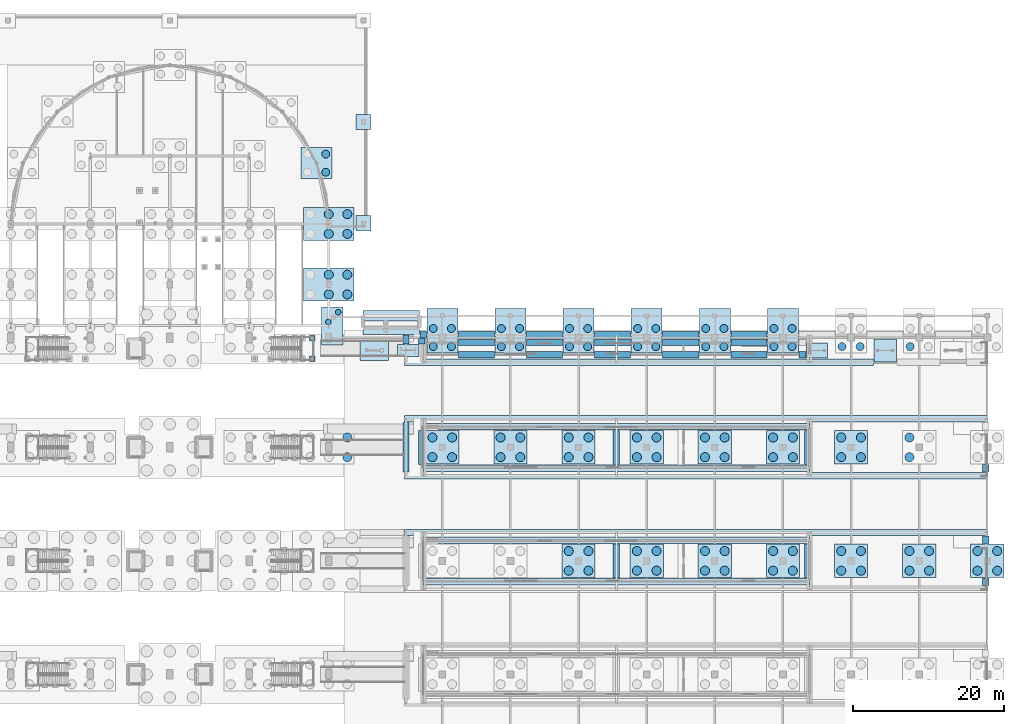
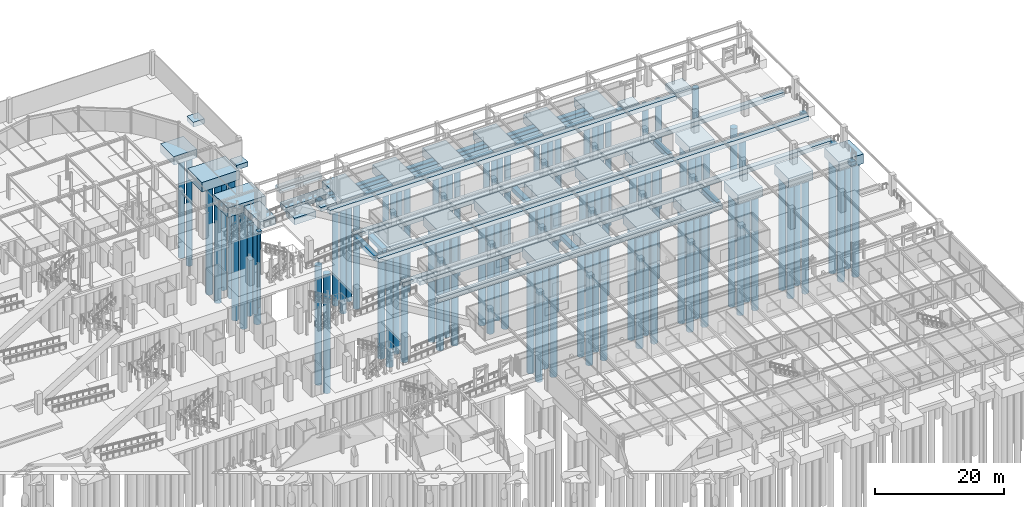
# One storey, part 8 of 160: 99 piles, 70 footings.
"""IFC4 building model written with IfcOpenShell, lengths in metres."""

from ifc_helpers import new_model, si_unit, direction, frame, origin, origin_2d, place, context, subcontext, project, spatial, rectangle, circle, extrude, material, material_profile, profile_set, type_object, element, save


model = new_model("IFC4")

# Units and contexts
model_context = context("Model", 3, precision=1e-05, world=origin(), true_north=direction((0.0, 1.0)))
body_context = subcontext(model_context, "Body", "Model", "MODEL_VIEW")
ifc_project = project(units=[si_unit("LENGTHUNIT", "METRE"), si_unit("AREAUNIT", "SQUARE_METRE"), si_unit("VOLUMEUNIT", "CUBIC_METRE"), si_unit("PLANEANGLEUNIT", "RADIAN"), si_unit("MASSUNIT", "GRAM", prefix="KILO")], contexts=[model_context])

# Site, building, storey
site_placement = place(None, origin())
site = spatial("IfcSite", under=ifc_project, at=site_placement, CompositionType="ELEMENT")
building_placement = place(site_placement, origin())
building = spatial("IfcBuilding", under=site, at=building_placement, Name="Marlcrest Central Station", CompositionType="ELEMENT")
storey_placement = place(building_placement, origin())
storey = spatial("IfcBuildingStorey", under=building, at=storey_placement, Name="L00", CompositionType="ELEMENT", Elevation=0.0)

# Piles
ifc_material_1 = material(Name="Concrete C35/45", Category="concrete")
ifc_material_profile_1 = material_profile(ifc_material_1, circle(Radius=0.375, at=origin_2d()), Name="PILE D750")
ifc_profile_set_1 = profile_set([ifc_material_profile_1], Name="Concrete C35/45")
pile_type_1 = type_object("IfcPileType", Name="BP-01", PredefinedType="BORED", material=ifc_profile_set_1)
for number, where, z_axis, x_axis, name in (
    (1, (128.949951171875, 97.550048828125, -1.300048828125), (0.0, 0.0, -1.0), (1.0, 0.0, 0.0), "pile-BP-01-0705"),
    (2, (130.25, 98.85009765625, -1.300048828125), (0.0, 0.0, -1.0), (1.0, 0.0, 0.0), "pile-BP-01-0706"),
):
    element("IfcPile", number, at=place(storey_placement, frame(where, z_axis=z_axis, x_axis=x_axis)), inside=storey, type_object=pile_type_1, Name=name, PredefinedType="BORED", context=body_context, shape_type="SweptSolid", body=[
        extrude(circle(Radius=0.375, at=origin_2d()), origin(), (0.0, 0.0, 1.0), 18.0),
    ])
ifc_material_profile_2 = material_profile(ifc_material_1, circle(Radius=0.52490234375, at=origin_2d()), Name="PILE D1050")
ifc_profile_set_2 = profile_set([ifc_material_profile_2], Name="Concrete C35/45")
pile_type_2 = type_object("IfcPileType", Name="BP-03", PredefinedType="BORED", material=ifc_profile_set_2)
for number, where, z_axis, x_axis, name in (
    (3, (142.800048828125, 94.300048828125, -1.5), (0.0, 0.0, -1.0), (1.0, 0.0, 0.0), "pile-BP-03-0565"),
    (4, (145.199951171875, 94.300048828125, -1.5), (0.0, 0.0, -1.0), (1.0, 0.0, 0.0), "pile-BP-03-0566"),
    (5, (142.800048828125, 96.699951171875, -1.5), (0.0, 0.0, -1.0), (1.0, 0.0, 0.0), "pile-BP-03-0567"),
    (6, (145.199951171875, 96.699951171875, -1.5), (0.0, 0.0, -1.0), (1.0, 0.0, 0.0), "pile-BP-03-0568"),
    (7, (151.800048828125, 94.300048828125, -1.5), (0.0, 0.0, -1.0), (1.0, 0.0, 0.0), "pile-BP-03-0581"),
    (8, (154.199951171875, 94.300048828125, -1.5), (0.0, 0.0, -1.0), (1.0, 0.0, 0.0), "pile-BP-03-0582"),
    (9, (151.800048828125, 96.699951171875, -1.5), (0.0, 0.0, -1.0), (1.0, 0.0, 0.0), "pile-BP-03-0583"),
    (10, (154.199951171875, 96.699951171875, -1.5), (0.0, 0.0, -1.0), (1.0, 0.0, 0.0), "pile-BP-03-0584"),
    (11, (160.800048828125, 94.300048828125, -1.5), (0.0, 0.0, -1.0), (1.0, 0.0, 0.0), "pile-BP-03-0597"),
    (12, (163.199951171875, 94.300048828125, -1.5), (0.0, 0.0, -1.0), (1.0, 0.0, 0.0), "pile-BP-03-0598"),
    (13, (160.800048828125, 96.699951171875, -1.5), (0.0, 0.0, -1.0), (1.0, 0.0, 0.0), "pile-BP-03-0599"),
    (14, (163.199951171875, 96.699951171875, -1.5), (0.0, 0.0, -1.0), (1.0, 0.0, 0.0), "pile-BP-03-0600"),
    (15, (169.800048828125, 94.300048828125, -1.5), (0.0, 0.0, -1.0), (1.0, 0.0, 0.0), "pile-BP-03-0613"),
    (16, (172.199951171875, 94.300048828125, -1.5), (0.0, 0.0, -1.0), (1.0, 0.0, 0.0), "pile-BP-03-0614"),
    (17, (169.800048828125, 96.699951171875, -1.5), (0.0, 0.0, -1.0), (1.0, 0.0, 0.0), "pile-BP-03-0615"),
    (18, (172.199951171875, 96.699951171875, -1.5), (0.0, 0.0, -1.0), (1.0, 0.0, 0.0), "pile-BP-03-0616"),
    (19, (178.800048828125, 94.300048828125, -1.5), (0.0, 0.0, -1.0), (1.0, 0.0, 0.0), "pile-BP-03-0629"),
    (20, (181.199951171875, 94.300048828125, -1.5), (0.0, 0.0, -1.0), (1.0, 0.0, 0.0), "pile-BP-03-0630"),
    (21, (178.800048828125, 96.699951171875, -1.5), (0.0, 0.0, -1.0), (1.0, 0.0, 0.0), "pile-BP-03-0631"),
    (22, (181.199951171875, 96.699951171875, -1.5), (0.0, 0.0, -1.0), (1.0, 0.0, 0.0), "pile-BP-03-0632"),
    (23, (187.800048828125, 94.300048828125, -1.5), (0.0, 0.0, -1.0), (1.0, 0.0, 0.0), "pile-BP-03-0645"),
    (24, (190.199951171875, 94.300048828125, -1.5), (0.0, 0.0, -1.0), (1.0, 0.0, 0.0), "pile-BP-03-0646"),
    (25, (187.800048828125, 96.699951171875, -1.5), (0.0, 0.0, -1.0), (1.0, 0.0, 0.0), "pile-BP-03-0647"),
    (26, (190.199951171875, 96.699951171875, -1.5), (0.0, 0.0, -1.0), (1.0, 0.0, 0.0), "pile-BP-03-0648"),
    (27, (196.800048828125, 94.300048828125, -1.5), (0.0, 0.0, -1.0), (1.0, 0.0, 0.0), "pile-BP-03-0661"),
    (28, (199.199951171875, 94.300048828125, -1.5), (0.0, 0.0, -1.0), (1.0, 0.0, 0.0), "pile-BP-03-0662"),
    (29, (205.800048828125, 94.300048828125, -1.5), (0.0, 0.0, -1.0), (1.0, 0.0, 0.0), "pile-BP-03-0677"),
    (30, (128.60107421875, 117.3359375, -1.5), (0.0, 0.0, -1.0), (1.0, 0.0, 0.0), "pile-BP-03-1031"),
    (31, (128.60107421875, 119.736083984375, -1.5), (0.0, 0.0, -1.0), (1.0, 0.0, 0.0), "pile-BP-03-1033"),
):
    element("IfcPile", number, at=place(storey_placement, frame(where, z_axis=z_axis, x_axis=x_axis)), inside=storey, type_object=pile_type_2, Name=name, PredefinedType="BORED", context=body_context, shape_type="SweptSolid", body=[
        extrude(circle(Radius=0.52490234375, at=origin_2d()), origin(), (0.0, 0.0, 1.0), 20.5),
    ])
ifc_material_profile_3 = material_profile(ifc_material_1, circle(Radius=0.60009765625, at=origin_2d()), Name="PILE D1200")
ifc_profile_set_3 = profile_set([ifc_material_profile_3], Name="Concrete C35/45")
pile_type_3 = type_object("IfcPileType", Name="BP-04", PredefinedType="BORED", material=ifc_profile_set_3)
for number, where, z_axis, x_axis, name in (
    (32, (142.699951171875, 79.699951171875, -1.699951171875), (0.0, 0.0, -1.0), (1.0, 0.0, 0.0), "pile-BP-04-0561"),
    (33, (145.300048828125, 79.699951171875, -1.699951171875), (0.0, 0.0, -1.0), (1.0, 0.0, 0.0), "pile-BP-04-0562"),
    (34, (142.699951171875, 82.300048828125, -1.699951171875), (0.0, 0.0, -1.0), (1.0, 0.0, 0.0), "pile-BP-04-0563"),
    (35, (145.300048828125, 82.300048828125, -1.699951171875), (0.0, 0.0, -1.0), (1.0, 0.0, 0.0), "pile-BP-04-0564"),
    (36, (151.699951171875, 79.699951171875, -1.699951171875), (0.0, 0.0, -1.0), (1.0, 0.0, 0.0), "pile-BP-04-0577"),
    (37, (154.300048828125, 79.699951171875, -1.699951171875), (0.0, 0.0, -1.0), (1.0, 0.0, 0.0), "pile-BP-04-0578"),
    (38, (151.699951171875, 82.300048828125, -1.699951171875), (0.0, 0.0, -1.0), (1.0, 0.0, 0.0), "pile-BP-04-0579"),
    (39, (154.300048828125, 82.300048828125, -1.699951171875), (0.0, 0.0, -1.0), (1.0, 0.0, 0.0), "pile-BP-04-0580"),
    (40, (160.699951171875, 64.699951171875, -1.699951171875), (0.0, 0.0, -1.0), (1.0, 0.0, 0.0), "pile-BP-04-0589"),
    (41, (163.300048828125, 64.699951171875, -1.699951171875), (0.0, 0.0, -1.0), (1.0, 0.0, 0.0), "pile-BP-04-0590"),
    (42, (160.699951171875, 67.300048828125, -1.699951171875), (0.0, 0.0, -1.0), (1.0, 0.0, 0.0), "pile-BP-04-0591"),
    (43, (163.300048828125, 67.300048828125, -1.699951171875), (0.0, 0.0, -1.0), (1.0, 0.0, 0.0), "pile-BP-04-0592"),
    (44, (160.699951171875, 79.699951171875, -1.699951171875), (0.0, 0.0, -1.0), (1.0, 0.0, 0.0), "pile-BP-04-0593"),
    (45, (163.300048828125, 79.699951171875, -1.699951171875), (0.0, 0.0, -1.0), (1.0, 0.0, 0.0), "pile-BP-04-0594"),
    (46, (160.699951171875, 82.300048828125, -1.699951171875), (0.0, 0.0, -1.0), (1.0, 0.0, 0.0), "pile-BP-04-0595"),
    (47, (163.300048828125, 82.300048828125, -1.699951171875), (0.0, 0.0, -1.0), (1.0, 0.0, 0.0), "pile-BP-04-0596"),
    (48, (169.699951171875, 64.699951171875, -1.699951171875), (0.0, 0.0, -1.0), (1.0, 0.0, 0.0), "pile-BP-04-0605"),
    (49, (172.300048828125, 64.699951171875, -1.699951171875), (0.0, 0.0, -1.0), (1.0, 0.0, 0.0), "pile-BP-04-0606"),
    (50, (169.699951171875, 67.300048828125, -1.699951171875), (0.0, 0.0, -1.0), (1.0, 0.0, 0.0), "pile-BP-04-0607"),
    (51, (172.300048828125, 67.300048828125, -1.699951171875), (0.0, 0.0, -1.0), (1.0, 0.0, 0.0), "pile-BP-04-0608"),
    (52, (169.699951171875, 79.699951171875, -1.699951171875), (0.0, 0.0, -1.0), (1.0, 0.0, 0.0), "pile-BP-04-0609"),
    (53, (172.300048828125, 79.699951171875, -1.699951171875), (0.0, 0.0, -1.0), (1.0, 0.0, 0.0), "pile-BP-04-0610"),
    (54, (169.699951171875, 82.300048828125, -1.699951171875), (0.0, 0.0, -1.0), (1.0, 0.0, 0.0), "pile-BP-04-0611"),
    (55, (172.300048828125, 82.300048828125, -1.699951171875), (0.0, 0.0, -1.0), (1.0, 0.0, 0.0), "pile-BP-04-0612"),
    (56, (178.699951171875, 64.699951171875, -1.699951171875), (0.0, 0.0, -1.0), (1.0, 0.0, 0.0), "pile-BP-04-0621"),
    (57, (181.300048828125, 64.699951171875, -1.699951171875), (0.0, 0.0, -1.0), (1.0, 0.0, 0.0), "pile-BP-04-0622"),
    (58, (178.699951171875, 67.300048828125, -1.699951171875), (0.0, 0.0, -1.0), (1.0, 0.0, 0.0), "pile-BP-04-0623"),
    (59, (181.300048828125, 67.300048828125, -1.699951171875), (0.0, 0.0, -1.0), (1.0, 0.0, 0.0), "pile-BP-04-0624"),
    (60, (178.699951171875, 79.699951171875, -1.699951171875), (0.0, 0.0, -1.0), (1.0, 0.0, 0.0), "pile-BP-04-0625"),
    (61, (181.300048828125, 79.699951171875, -1.699951171875), (0.0, 0.0, -1.0), (1.0, 0.0, 0.0), "pile-BP-04-0626"),
    (62, (178.699951171875, 82.300048828125, -1.699951171875), (0.0, 0.0, -1.0), (1.0, 0.0, 0.0), "pile-BP-04-0627"),
    (63, (181.300048828125, 82.300048828125, -1.699951171875), (0.0, 0.0, -1.0), (1.0, 0.0, 0.0), "pile-BP-04-0628"),
    (64, (187.699951171875, 64.699951171875, -1.699951171875), (0.0, 0.0, -1.0), (1.0, 0.0, 0.0), "pile-BP-04-0637"),
    (65, (190.300048828125, 64.699951171875, -1.699951171875), (0.0, 0.0, -1.0), (1.0, 0.0, 0.0), "pile-BP-04-0638"),
    (66, (187.699951171875, 67.300048828125, -1.699951171875), (0.0, 0.0, -1.0), (1.0, 0.0, 0.0), "pile-BP-04-0639"),
    (67, (190.300048828125, 67.300048828125, -1.699951171875), (0.0, 0.0, -1.0), (1.0, 0.0, 0.0), "pile-BP-04-0640"),
    (68, (187.699951171875, 79.699951171875, -1.699951171875), (0.0, 0.0, -1.0), (1.0, 0.0, 0.0), "pile-BP-04-0641"),
    (69, (190.300048828125, 79.699951171875, -1.699951171875), (0.0, 0.0, -1.0), (1.0, 0.0, 0.0), "pile-BP-04-0642"),
    (70, (187.699951171875, 82.300048828125, -1.699951171875), (0.0, 0.0, -1.0), (1.0, 0.0, 0.0), "pile-BP-04-0643"),
    (71, (190.300048828125, 82.300048828125, -1.699951171875), (0.0, 0.0, -1.0), (1.0, 0.0, 0.0), "pile-BP-04-0644"),
    (72, (196.699951171875, 64.699951171875, -1.699951171875), (0.0, 0.0, -1.0), (1.0, 0.0, 0.0), "pile-BP-04-0653"),
    (73, (199.300048828125, 64.699951171875, -1.699951171875), (0.0, 0.0, -1.0), (1.0, 0.0, 0.0), "pile-BP-04-0654"),
    (74, (196.699951171875, 67.300048828125, -1.699951171875), (0.0, 0.0, -1.0), (1.0, 0.0, 0.0), "pile-BP-04-0655"),
    (75, (199.300048828125, 67.300048828125, -1.699951171875), (0.0, 0.0, -1.0), (1.0, 0.0, 0.0), "pile-BP-04-0656"),
    (76, (196.699951171875, 79.699951171875, -1.699951171875), (0.0, 0.0, -1.0), (1.0, 0.0, 0.0), "pile-BP-04-0657"),
    (77, (199.300048828125, 79.699951171875, -1.699951171875), (0.0, 0.0, -1.0), (1.0, 0.0, 0.0), "pile-BP-04-0658"),
    (78, (196.699951171875, 82.300048828125, -1.699951171875), (0.0, 0.0, -1.0), (1.0, 0.0, 0.0), "pile-BP-04-0659"),
    (79, (199.300048828125, 82.300048828125, -1.699951171875), (0.0, 0.0, -1.0), (1.0, 0.0, 0.0), "pile-BP-04-0660"),
    (80, (205.699951171875, 64.699951171875, -1.699951171875), (0.0, 0.0, -1.0), (1.0, 0.0, 0.0), "pile-BP-04-0669"),
    (81, (208.300048828125, 64.699951171875, -1.699951171875), (0.0, 0.0, -1.0), (1.0, 0.0, 0.0), "pile-BP-04-0670"),
    (82, (205.699951171875, 67.300048828125, -1.699951171875), (0.0, 0.0, -1.0), (1.0, 0.0, 0.0), "pile-BP-04-0671"),
    (83, (208.300048828125, 67.300048828125, -1.699951171875), (0.0, 0.0, -1.0), (1.0, 0.0, 0.0), "pile-BP-04-0672"),
    (84, (205.699951171875, 79.699951171875, -1.699951171875), (0.0, 0.0, -1.0), (1.0, 0.0, 0.0), "pile-BP-04-0673"),
    (85, (205.699951171875, 82.300048828125, -1.699951171875), (0.0, 0.0, -1.0), (1.0, 0.0, 0.0), "pile-BP-04-0675"),
    (86, (214.699951171875, 64.699951171875, -1.699951171875), (0.0, 0.0, -1.0), (1.0, 0.0, 0.0), "pile-BP-04-0685"),
    (87, (217.300048828125, 64.699951171875, -1.699951171875), (0.0, 0.0, -1.0), (1.0, 0.0, 0.0), "pile-BP-04-0686"),
    (88, (214.699951171875, 67.300048828125, -1.699951171875), (0.0, 0.0, -1.0), (1.0, 0.0, 0.0), "pile-BP-04-0687"),
    (89, (217.300048828125, 67.300048828125, -1.699951171875), (0.0, 0.0, -1.0), (1.0, 0.0, 0.0), "pile-BP-04-0688"),
):
    element("IfcPile", number, at=place(storey_placement, frame(where, z_axis=z_axis, x_axis=x_axis)), inside=storey, type_object=pile_type_3, Name=name, PredefinedType="BORED", context=body_context, shape_type="SweptSolid", body=[
        extrude(circle(Radius=0.60009765625, at=origin_2d()), origin(), (0.0, 0.0, 1.0), 21.5),
    ])
for number, where, z_axis, x_axis, name in (
    (90, (131.449951171875, 79.699951171875, -1.699951171875), (0.0, 0.0, -1.0), (1.0, 0.0, 0.0), "pile-BP-04-0859"),
    (91, (131.449951171875, 82.300048828125, -1.699951171875), (0.0, 0.0, -1.0), (1.0, 0.0, 0.0), "pile-BP-04-0862"),
    (92, (129.0, 101.199951171875, -1.699951171875), (0.0, 0.0, -1.0), (1.0, 0.0, 0.0), "pile-BP-04-0933"),
    (93, (131.449951171875, 101.199951171875, -1.699951171875), (0.0, 0.0, -1.0), (1.0, 0.0, 0.0), "pile-BP-04-0934"),
    (94, (129.0, 103.800048828125, -1.699951171875), (0.0, 0.0, -1.0), (1.0, 0.0, 0.0), "pile-BP-04-0936"),
    (95, (131.449951171875, 103.800048828125, -1.699951171875), (0.0, 0.0, -1.0), (1.0, 0.0, 0.0), "pile-BP-04-0937"),
    (96, (129.0, 109.199951171875, -1.699951171875), (0.0, 0.0, -1.0), (1.0, 0.0, 0.0), "pile-BP-04-0961"),
    (97, (131.449951171875, 109.199951171875, -1.699951171875), (0.0, 0.0, -1.0), (1.0, 0.0, 0.0), "pile-BP-04-0962"),
    (98, (129.0, 111.800048828125, -1.699951171875), (0.0, 0.0, -1.0), (1.0, 0.0, 0.0), "pile-BP-04-0964"),
    (99, (131.449951171875, 111.800048828125, -1.699951171875), (0.0, 0.0, -1.0), (1.0, 0.0, 0.0), "pile-BP-04-0965"),
):
    element("IfcPile", number, at=place(storey_placement, frame(where, z_axis=z_axis, x_axis=x_axis)), inside=storey, type_object=pile_type_3, Name=name, PredefinedType="BORED", context=body_context, shape_type="SweptSolid", body=[
        extrude(circle(Radius=0.60009765625, at=origin_2d()), origin(), (0.0, 0.0, 1.0), 22.5),
    ])

# Footings
ifc_material_2 = material(Name="Concrete C40/50", Category="concrete")
footing_type_1 = type_object("IfcFootingType", Name="PC-01", PredefinedType="PILE_CAP", material=ifc_material_2)
footing_1_placement = place(storey_placement, frame((129.47802734375, 97.028076171875, -1.39990234375), z_axis=(0.0, 0.0, 1.0), x_axis=(1.0, 0.0, 0.0)))
element("IfcFooting", 100, at=footing_1_placement, inside=storey, type_object=footing_type_1, Name="ftg-cap-0183", PredefinedType="PILE_CAP", context=body_context, shape_type="SweptSolid", body=[
    extrude(rectangle(XDim=2.85498046875, YDim=4.955078125, at=origin_2d()), origin(), (0.0, 0.0, 1.0), 1.39990234375),
])
footing_type_2 = type_object("IfcFootingType", Name="PC-03", PredefinedType="PILE_CAP", material=ifc_material_2)
for number, where, z_axis, x_axis, name in (
    (101, (144.0, 96.39990234375, -1.60009765625), (0.0, 0.0, 1.0), (1.0, 0.0, 0.0), "ftg-cap-0148"),
    (102, (153.0, 96.39990234375, -1.60009765625), (0.0, 0.0, 1.0), (1.0, 0.0, 0.0), "ftg-cap-0152"),
    (103, (162.0, 96.39990234375, -1.60009765625), (0.0, 0.0, 1.0), (1.0, 0.0, 0.0), "ftg-cap-0156"),
    (104, (171.0, 96.39990234375, -1.60009765625), (0.0, 0.0, 1.0), (1.0, 0.0, 0.0), "ftg-cap-0160"),
    (105, (180.0, 96.39990234375, -1.60009765625), (0.0, 0.0, 1.0), (1.0, 0.0, 0.0), "ftg-cap-0164"),
    (106, (189.0, 96.39990234375, -1.60009765625), (0.0, 0.0, 1.0), (1.0, 0.0, 0.0), "ftg-cap-0168"),
):
    element("IfcFooting", number, at=place(storey_placement, frame(where, z_axis=z_axis, x_axis=x_axis)), inside=storey, type_object=footing_type_2, Name=name, PredefinedType="PILE_CAP", context=body_context, shape_type="SweptSolid", body=[
        extrude(rectangle(XDim=4.10009765625, YDim=5.89990234375, at=origin_2d()), origin(), (0.0, 0.0, 1.0), 1.60009765625),
    ])
footing_2_placement = place(storey_placement, frame((127.40087890625, 118.535888671875, -1.60009765625), z_axis=(0.0, 0.0, 1.0), x_axis=(1.0, 0.0, 0.0)))
element("IfcFooting", 107, at=footing_2_placement, inside=storey, type_object=footing_type_2, Name="ftg-cap-0241", PredefinedType="PILE_CAP", context=body_context, shape_type="SweptSolid", body=[
    extrude(rectangle(XDim=4.10009765625, YDim=4.10009765625, at=origin_2d()), origin(), (0.0, 0.0, 1.0), 1.60009765625),
])
footing_type_3 = type_object("IfcFootingType", Name="PC-04", PredefinedType="PILE_CAP", material=ifc_material_2)
for number, where, z_axis, x_axis, name in (
    (108, (144.0, 81.0, -1.7998046875), (0.0, 0.0, 1.0), (1.0, 0.0, 0.0), "ftg-cap-0147"),
    (109, (153.0, 81.0, -1.7998046875), (0.0, 0.0, 1.0), (1.0, 0.0, 0.0), "ftg-cap-0151"),
    (110, (162.0, 66.0, -1.7998046875), (0.0, 0.0, 1.0), (1.0, 0.0, 0.0), "ftg-cap-0154"),
    (111, (162.0, 81.0, -1.7998046875), (0.0, 0.0, 1.0), (1.0, 0.0, 0.0), "ftg-cap-0155"),
    (112, (171.0, 66.0, -1.7998046875), (0.0, 0.0, 1.0), (1.0, 0.0, 0.0), "ftg-cap-0158"),
    (113, (171.0, 81.0, -1.7998046875), (0.0, 0.0, 1.0), (1.0, 0.0, 0.0), "ftg-cap-0159"),
    (114, (180.0, 66.0, -1.7998046875), (0.0, 0.0, 1.0), (1.0, 0.0, 0.0), "ftg-cap-0162"),
    (115, (180.0, 81.0, -1.7998046875), (0.0, 0.0, 1.0), (1.0, 0.0, 0.0), "ftg-cap-0163"),
    (116, (189.0, 66.0, -1.7998046875), (0.0, 0.0, 1.0), (1.0, 0.0, 0.0), "ftg-cap-0166"),
    (117, (189.0, 81.0, -1.7998046875), (0.0, 0.0, 1.0), (1.0, 0.0, 0.0), "ftg-cap-0167"),
    (118, (198.0, 66.0, -1.7998046875), (0.0, 0.0, 1.0), (1.0, 0.0, 0.0), "ftg-cap-0170"),
    (119, (198.0, 81.0, -1.7998046875), (0.0, 0.0, 1.0), (1.0, 0.0, 0.0), "ftg-cap-0171"),
    (120, (207.0, 66.0, -1.7998046875), (0.0, 0.0, 1.0), (1.0, 0.0, 0.0), "ftg-cap-0174"),
    (121, (216.0, 66.0, -1.7998046875), (0.0, 0.0, 1.0), (1.0, 0.0, 0.0), "ftg-cap-0178"),
):
    element("IfcFooting", number, at=place(storey_placement, frame(where, z_axis=z_axis, x_axis=x_axis)), inside=storey, type_object=footing_type_3, Name=name, PredefinedType="PILE_CAP", context=body_context, shape_type="SweptSolid", body=[
        extrude(rectangle(XDim=4.39990234375, YDim=4.39990234375, at=origin_2d()), origin(), (0.0, 0.0, 1.0), 1.800048828125),
    ])
footing_type_4 = type_object("IfcFootingType", Name="PC-05", PredefinedType="PILE_CAP", material=ifc_material_2)
for number, where, z_axis, x_axis, name in (
    (122, (129.0, 102.5, -1.7998046875), (0.0, 0.0, 1.0), (1.0, 0.0, 0.0), "ftg-cap-0219"),
    (123, (129.0, 110.5, -1.7998046875), (0.0, 0.0, 1.0), (1.0, 0.0, 0.0), "ftg-cap-0224"),
):
    element("IfcFooting", number, at=place(storey_placement, frame(where, z_axis=z_axis, x_axis=x_axis)), inside=storey, type_object=footing_type_4, Name=name, PredefinedType="PILE_CAP", context=body_context, shape_type="SweptSolid", body=[
        extrude(rectangle(XDim=6.699951171875, YDim=4.39990234375, at=origin_2d()), origin(), (0.0, 0.0, 1.0), 1.800048828125),
    ])
footing_type_5 = type_object("IfcFootingType", Name="PF-02", PredefinedType="PAD_FOOTING", material=ifc_material_2)
for number, where, z_axis, x_axis, name in (
    (124, (133.60009765625, 110.60009765625, -0.89990234375), (0.0, 0.0, 1.0), (1.0, 0.0, 0.0), "ftg-hs-e-1106"),
    (125, (133.60009765625, 124.0, -0.89990234375), (0.0, 0.0, 1.0), (1.0, 0.0, 0.0), "ftg-hs-e-1240"),
):
    element("IfcFooting", number, at=place(storey_placement, frame(where, z_axis=z_axis, x_axis=x_axis)), inside=storey, type_object=footing_type_5, Name=name, PredefinedType="PAD_FOOTING", context=body_context, shape_type="SweptSolid", body=[
        extrude(rectangle(XDim=2.0, YDim=2.0, at=origin_2d()), origin(), (0.0, 0.0, 1.0), 0.89990234375),
    ])
footing_type_6 = type_object("IfcFootingType", Name="PF-03", PredefinedType="PAD_FOOTING", material=ifc_material_2)
for number, where, z_axis, x_axis, name in (
    (126, (126.830078125, 92.699951171875, -0.43994140625), (0.0, 0.0, 1.0), (1.0, 0.0, 0.0), "stftg-lo-0029-1268-927"),
    (127, (126.830078125, 95.39990234375, -0.43994140625), (0.0, 0.0, 1.0), (1.0, 0.0, 0.0), "stftg-lo-0029-1268-954"),
):
    element("IfcFooting", number, at=place(storey_placement, frame(where, z_axis=z_axis, x_axis=x_axis)), inside=storey, type_object=footing_type_6, Name=name, PredefinedType="PAD_FOOTING", context=body_context, shape_type="SweptSolid", body=[
        extrude(rectangle(XDim=0.75, YDim=0.75, at=origin_2d()), origin(), (0.0, 0.0, 1.0), 0.43994140625),
    ])
footing_type_7 = type_object("IfcFootingType", Name="PF-04", PredefinedType="PAD_FOOTING", material=ifc_material_2)
footing_3_placement = place(storey_placement, frame((139.5, 93.800048828125, -0.60009765625), z_axis=(0.0, 0.0, 1.0), x_axis=(1.0, 0.0, 0.0)))
element("IfcFooting", 128, at=footing_3_placement, inside=storey, type_object=footing_type_7, Name="ftg-pad-ap-3-1", PredefinedType="PAD_FOOTING", context=body_context, shape_type="SweptSolid", body=[
    extrude(rectangle(XDim=2.800048828125, YDim=1.60009765625, at=origin_2d()), origin(), (0.0, 0.0, 1.0), 0.800048828125),
])
footing_type_8 = type_object("IfcFootingType", Name="PF-05", PredefinedType="PAD_FOOTING", material=ifc_material_2)
footing_4_placement = place(storey_placement, frame((193.5, 93.800048828125, -0.75), z_axis=(0.0, 0.0, 1.0), x_axis=(1.0, 0.0, 0.0)))
element("IfcFooting", 129, at=footing_4_placement, inside=storey, type_object=footing_type_8, Name="ftg-pad-ap-4-1", PredefinedType="PAD_FOOTING", context=body_context, shape_type="SweptSolid", body=[
    extrude(rectangle(XDim=2.800048828125, YDim=2.0, at=origin_2d()), origin(), (0.0, 0.0, 1.0), 0.949951171875),
])
footing_type_9 = type_object("IfcFootingType", Name="PF-06", PredefinedType="PAD_FOOTING", material=ifc_material_2)
footing_5_placement = place(storey_placement, frame((202.5, 93.800048828125, -0.900146484375), z_axis=(0.0, 0.0, 1.0), x_axis=(1.0, 0.0, 0.0)))
element("IfcFooting", 130, at=footing_5_placement, inside=storey, type_object=footing_type_9, Name="ftg-pad-ap-5-1", PredefinedType="PAD_FOOTING", context=body_context, shape_type="SweptSolid", body=[
    extrude(rectangle(XDim=3.0, YDim=3.0, at=origin_2d()), origin(), (0.0, 0.0, 1.0), 1.10009765625),
])
footing_type_10 = type_object("IfcFootingType", Name="PF-08", PredefinedType="PAD_FOOTING", material=ifc_material_2)
footing_6_placement = place(storey_placement, frame((135.0, 93.800048828125, -1.050048828125), z_axis=(0.0, 0.0, 1.0), x_axis=(1.0, 0.0, 0.0)))
element("IfcFooting", 131, at=footing_6_placement, inside=storey, type_object=footing_type_10, Name="ftg-pad-ap-7-1", PredefinedType="PAD_FOOTING", context=body_context, shape_type="SweptSolid", body=[
    extrude(rectangle(XDim=3.800048828125, YDim=2.60009765625, at=origin_2d()), origin(), (0.0, 0.0, 1.0), 1.25),
])
footing_type_11 = type_object("IfcFootingType", Name="SF-01", PredefinedType="STRIP_FOOTING", material=ifc_material_2)
footing_7_placement = place(storey_placement, frame((137.25, 98.39990234375, 1.60009765625), z_axis=(0.0, 0.0, 1.0), x_axis=(1.0, 0.0, 0.0)))
element("IfcFooting", 132, at=footing_7_placement, inside=storey, type_object=footing_type_11, Name="ftg-sf2-133.5", PredefinedType="STRIP_FOOTING", context=body_context, shape_type="SweptSolid", body=[
    extrude(rectangle(XDim=7.5, YDim=1.39990234375, at=origin_2d()), origin(), (0.0, 0.0, 1.0), 0.800048828125),
])
footing_8_placement = place(storey_placement, frame((177.5, 69.75, -0.7998046875), z_axis=(0.0, 0.0, 1.0), x_axis=(1.0, 0.0, 0.0)))
element("IfcFooting", 133, at=footing_8_placement, inside=storey, type_object=footing_type_11, Name="ftg-pw-0071", PredefinedType="STRIP_FOOTING", context=body_context, shape_type="SweptSolid", body=[
    extrude(rectangle(XDim=76.9599609375, YDim=0.85009765625, at=origin_2d()), origin(), (0.0, 0.0, 1.0), 0.800048828125),
])
for number, where, z_axis, x_axis, name in (
    (134, (167.0, 63.25, -0.7998046875), (0.0, 0.0, 1.0), (1.0, 0.0, 0.0), "ftg-pw-0072"),
    (135, (167.0, 68.75, -0.7998046875), (0.0, 0.0, 1.0), (1.0, 0.0, 0.0), "ftg-pw-0073"),
):
    element("IfcFooting", number, at=place(storey_placement, frame(where, z_axis=z_axis, x_axis=x_axis)), inside=storey, type_object=footing_type_11, Name=name, PredefinedType="STRIP_FOOTING", context=body_context, shape_type="SweptSolid", body=[
        extrude(rectangle(XDim=50.9599609375, YDim=0.85009765625, at=origin_2d()), origin(), (0.0, 0.0, 1.0), 0.800048828125),
    ])
for number, where, z_axis, x_axis, name in (
    (136, (167.0, 66.0, -0.7998046875), (0.0, 0.0, 1.0), (1.0, 0.0, 0.0), "ftg-pw-0076"),
    (137, (192.300048828125, 66.0, -0.7998046875), (0.0, 0.0, 1.0), (1.0, 0.0, 0.0), "ftg-pw-0077"),
):
    element("IfcFooting", number, at=place(storey_placement, frame(where, z_axis=z_axis, x_axis=x_axis)), inside=storey, type_object=footing_type_11, Name=name, PredefinedType="STRIP_FOOTING", context=body_context, shape_type="SweptSolid", body=[
        extrude(rectangle(XDim=0.85009765625, YDim=4.510009765625, at=origin_2d()), origin(), (0.0, 0.0, 1.0), 0.800048828125),
    ])
for number, where, z_axis, x_axis, name in (
    (138, (215.800048828125, 63.237060546875, -0.7998046875), (0.0, 0.0, 1.0), (1.0, 0.0, 0.0), "ftg-pw-0078"),
    (139, (215.800048828125, 68.762939453125, -0.7998046875), (0.0, 0.0, 1.0), (1.0, 0.0, 0.0), "ftg-pw-0079"),
):
    element("IfcFooting", number, at=place(storey_placement, frame(where, z_axis=z_axis, x_axis=x_axis)), inside=storey, type_object=footing_type_11, Name=name, PredefinedType="STRIP_FOOTING", context=body_context, shape_type="SweptSolid", body=[
        extrude(rectangle(XDim=0.85009765625, YDim=0.985107421875, at=origin_2d()), origin(), (0.0, 0.0, 1.0), 0.800048828125),
    ])
for number, where, z_axis, x_axis, name in (
    (140, (177.5, 77.25, -0.7998046875), (0.0, 0.0, 1.0), (1.0, 0.0, 0.0), "ftg-pw-0088"),
    (141, (177.5, 84.75, -0.7998046875), (0.0, 0.0, 1.0), (1.0, 0.0, 0.0), "ftg-pw-0089"),
):
    element("IfcFooting", number, at=place(storey_placement, frame(where, z_axis=z_axis, x_axis=x_axis)), inside=storey, type_object=footing_type_11, Name=name, PredefinedType="STRIP_FOOTING", context=body_context, shape_type="SweptSolid", body=[
        extrude(rectangle(XDim=76.9599609375, YDim=0.85009765625, at=origin_2d()), origin(), (0.0, 0.0, 1.0), 0.800048828125),
    ])
for number, where, z_axis, x_axis, name in (
    (142, (167.0, 78.25, -0.7998046875), (0.0, 0.0, 1.0), (1.0, 0.0, 0.0), "ftg-pw-0090"),
    (143, (167.0, 83.75, -0.7998046875), (0.0, 0.0, 1.0), (1.0, 0.0, 0.0), "ftg-pw-0091"),
):
    element("IfcFooting", number, at=place(storey_placement, frame(where, z_axis=z_axis, x_axis=x_axis)), inside=storey, type_object=footing_type_11, Name=name, PredefinedType="STRIP_FOOTING", context=body_context, shape_type="SweptSolid", body=[
        extrude(rectangle(XDim=50.9599609375, YDim=0.85009765625, at=origin_2d()), origin(), (0.0, 0.0, 1.0), 0.800048828125),
    ])
footing_9_placement = place(storey_placement, frame((139.199951171875, 81.0, -0.7998046875), z_axis=(0.0, 0.0, 1.0), x_axis=(1.0, 0.0, 0.0)))
element("IfcFooting", 144, at=footing_9_placement, inside=storey, type_object=footing_type_11, Name="ftg-pw-0092", PredefinedType="STRIP_FOOTING", context=body_context, shape_type="SweptSolid", body=[
    extrude(rectangle(XDim=0.85009765625, YDim=6.510009765625, at=origin_2d()), origin(), (0.0, 0.0, 1.0), 0.800048828125),
])
for number, where, z_axis, x_axis, name in (
    (145, (141.300048828125, 81.0, -0.7998046875), (0.0, 0.0, 1.0), (1.0, 0.0, 0.0), "ftg-pw-0093"),
    (146, (167.0, 81.0, -0.7998046875), (0.0, 0.0, 1.0), (1.0, 0.0, 0.0), "ftg-pw-0094"),
    (147, (192.300048828125, 81.0, -0.7998046875), (0.0, 0.0, 1.0), (1.0, 0.0, 0.0), "ftg-pw-0095"),
):
    element("IfcFooting", number, at=place(storey_placement, frame(where, z_axis=z_axis, x_axis=x_axis)), inside=storey, type_object=footing_type_11, Name=name, PredefinedType="STRIP_FOOTING", context=body_context, shape_type="SweptSolid", body=[
        extrude(rectangle(XDim=0.85009765625, YDim=4.510009765625, at=origin_2d()), origin(), (0.0, 0.0, 1.0), 0.800048828125),
    ])
footing_10_placement = place(storey_placement, frame((215.800048828125, 78.237060546875, -0.7998046875), z_axis=(0.0, 0.0, 1.0), x_axis=(1.0, 0.0, 0.0)))
element("IfcFooting", 148, at=footing_10_placement, inside=storey, type_object=footing_type_11, Name="ftg-pw-0096", PredefinedType="STRIP_FOOTING", context=body_context, shape_type="SweptSolid", body=[
    extrude(rectangle(XDim=0.85009765625, YDim=0.985107421875, at=origin_2d()), origin(), (0.0, 0.0, 1.0), 0.800048828125),
])
footing_11_placement = place(storey_placement, frame((169.97509765625, 92.25, -0.7998046875), z_axis=(0.0, 0.0, 1.0), x_axis=(1.0, 0.0, 0.0)))
element("IfcFooting", 149, at=footing_11_placement, inside=storey, type_object=footing_type_11, Name="ftg-pw-0116", PredefinedType="STRIP_FOOTING", context=body_context, shape_type="SweptSolid", body=[
    extrude(rectangle(XDim=61.909912109375, YDim=0.85009765625, at=origin_2d()), origin(), (0.0, 0.0, 1.0), 0.800048828125),
])
footing_12_placement = place(storey_placement, frame((141.47509765625, 95.85009765625, -0.7998046875), z_axis=(0.0, 0.0, 1.0), x_axis=(1.0, 0.0, 0.0)))
element("IfcFooting", 150, at=footing_12_placement, inside=storey, type_object=footing_type_11, Name="ftg-pw-0119", PredefinedType="STRIP_FOOTING", context=body_context, shape_type="SweptSolid", body=[
    extrude(rectangle(XDim=0.81005859375, YDim=0.85009765625, at=origin_2d()), origin(), (0.0, 0.0, 1.0), 0.800048828125),
])
for number, where, z_axis, x_axis, name in (
    (151, (148.5, 95.85009765625, -0.7998046875), (0.0, 0.0, 1.0), (1.0, 0.0, 0.0), "ftg-pw-0120"),
    (152, (157.5, 95.85009765625, -0.7998046875), (0.0, 0.0, 1.0), (1.0, 0.0, 0.0), "ftg-pw-0121"),
    (153, (166.5, 95.85009765625, -0.7998046875), (0.0, 0.0, 1.0), (1.0, 0.0, 0.0), "ftg-pw-0122"),
    (154, (175.5, 95.85009765625, -0.7998046875), (0.0, 0.0, 1.0), (1.0, 0.0, 0.0), "ftg-pw-0123"),
    (155, (184.5, 95.85009765625, -0.7998046875), (0.0, 0.0, 1.0), (1.0, 0.0, 0.0), "ftg-pw-0124"),
    (156, (148.5, 93.25, -0.7998046875), (0.0, 0.0, 1.0), (1.0, 0.0, 0.0), "ftg-pw-0128"),
    (157, (157.5, 93.25, -0.7998046875), (0.0, 0.0, 1.0), (1.0, 0.0, 0.0), "ftg-pw-0129"),
    (158, (166.5, 93.25, -0.7998046875), (0.0, 0.0, 1.0), (1.0, 0.0, 0.0), "ftg-pw-0130"),
    (159, (175.5, 93.25, -0.7998046875), (0.0, 0.0, 1.0), (1.0, 0.0, 0.0), "ftg-pw-0131"),
    (160, (184.5, 93.25, -0.7998046875), (0.0, 0.0, 1.0), (1.0, 0.0, 0.0), "ftg-pw-0132"),
):
    element("IfcFooting", number, at=place(storey_placement, frame(where, z_axis=z_axis, x_axis=x_axis)), inside=storey, type_object=footing_type_11, Name=name, PredefinedType="STRIP_FOOTING", context=body_context, shape_type="SweptSolid", body=[
        extrude(rectangle(XDim=4.760009765625, YDim=0.85009765625, at=origin_2d()), origin(), (0.0, 0.0, 1.0), 0.800048828125),
    ])
footing_13_placement = place(storey_placement, frame((191.574951171875, 93.25, -0.7998046875), z_axis=(0.0, 0.0, 1.0), x_axis=(1.0, 0.0, 0.0)))
element("IfcFooting", 161, at=footing_13_placement, inside=storey, type_object=footing_type_11, Name="ftg-pw-0133", PredefinedType="STRIP_FOOTING", context=body_context, shape_type="SweptSolid", body=[
    extrude(rectangle(XDim=0.909912109375, YDim=0.85009765625, at=origin_2d()), origin(), (0.0, 0.0, 1.0), 0.800048828125),
])
for number, where, z_axis, x_axis, name in (
    (162, (148.5, 94.85009765625, -0.7998046875), (0.0, 0.0, 1.0), (1.0, 0.0, 0.0), "ftg-pw-0134"),
    (163, (157.5, 94.85009765625, -0.7998046875), (0.0, 0.0, 1.0), (1.0, 0.0, 0.0), "ftg-pw-0135"),
    (164, (166.5, 94.85009765625, -0.7998046875), (0.0, 0.0, 1.0), (1.0, 0.0, 0.0), "ftg-pw-0136"),
    (165, (175.5, 94.85009765625, -0.7998046875), (0.0, 0.0, 1.0), (1.0, 0.0, 0.0), "ftg-pw-0137"),
    (166, (184.5, 94.85009765625, -0.7998046875), (0.0, 0.0, 1.0), (1.0, 0.0, 0.0), "ftg-pw-0138"),
):
    element("IfcFooting", number, at=place(storey_placement, frame(where, z_axis=z_axis, x_axis=x_axis)), inside=storey, type_object=footing_type_11, Name=name, PredefinedType="STRIP_FOOTING", context=body_context, shape_type="SweptSolid", body=[
        extrude(rectangle(XDim=4.760009765625, YDim=0.85009765625, at=origin_2d()), origin(), (0.0, 0.0, 1.0), 0.800048828125),
    ])
footing_14_placement = place(storey_placement, frame((139.199951171875, 95.25, -0.7998046875), z_axis=(0.0, 0.0, 1.0), x_axis=(1.0, 0.0, 0.0)))
element("IfcFooting", 167, at=footing_14_placement, inside=storey, type_object=footing_type_11, Name="ftg-pw-0140", PredefinedType="STRIP_FOOTING", context=body_context, shape_type="SweptSolid", body=[
    extrude(rectangle(XDim=0.85009765625, YDim=1.159912109375, at=origin_2d()), origin(), (0.0, 0.0, 1.0), 0.800048828125),
])
footing_15_placement = place(storey_placement, frame((141.300048828125, 95.011962890625, -0.7998046875), z_axis=(0.0, 0.0, 1.0), x_axis=(1.0, 0.0, 0.0)))
element("IfcFooting", 168, at=footing_15_placement, inside=storey, type_object=footing_type_11, Name="ftg-pw-0141", PredefinedType="STRIP_FOOTING", context=body_context, shape_type="SweptSolid", body=[
    extrude(rectangle(XDim=0.85009765625, YDim=0.68505859375, at=origin_2d()), origin(), (0.0, 0.0, 1.0), 0.800048828125),
])
footing_type_12 = type_object("IfcFootingType", Name="SF-02", PredefinedType="STRIP_FOOTING", material=ifc_material_2)
footing_16_placement = place(storey_placement, frame((137.25, 96.800048828125, -0.89990234375), z_axis=(0.0, 0.0, 1.0), x_axis=(1.0, 0.0, 0.0)))
element("IfcFooting", 169, at=footing_16_placement, inside=storey, type_object=footing_type_12, Name="ftg-sf-133.5", PredefinedType="STRIP_FOOTING", context=body_context, shape_type="SweptSolid", body=[
    extrude(rectangle(XDim=7.5, YDim=1.800048828125, at=origin_2d()), origin(), (0.0, 0.0, 1.0), 0.89990234375),
])

save(model, "model.ifc")
